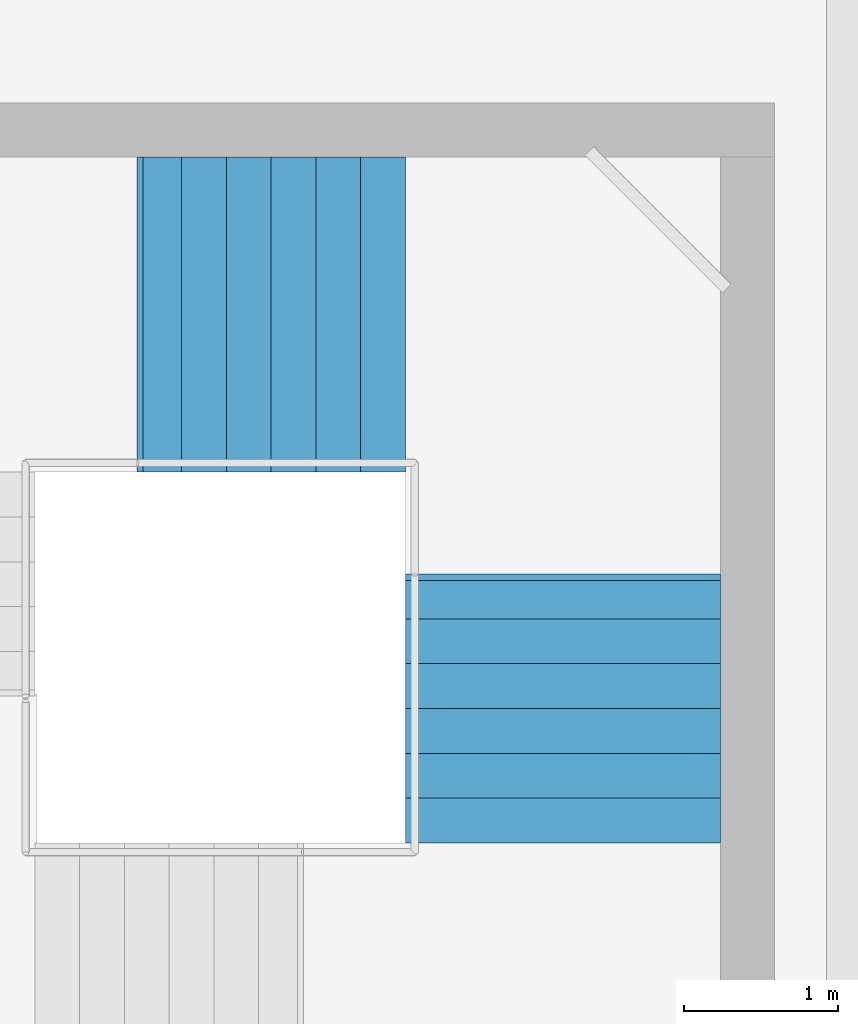
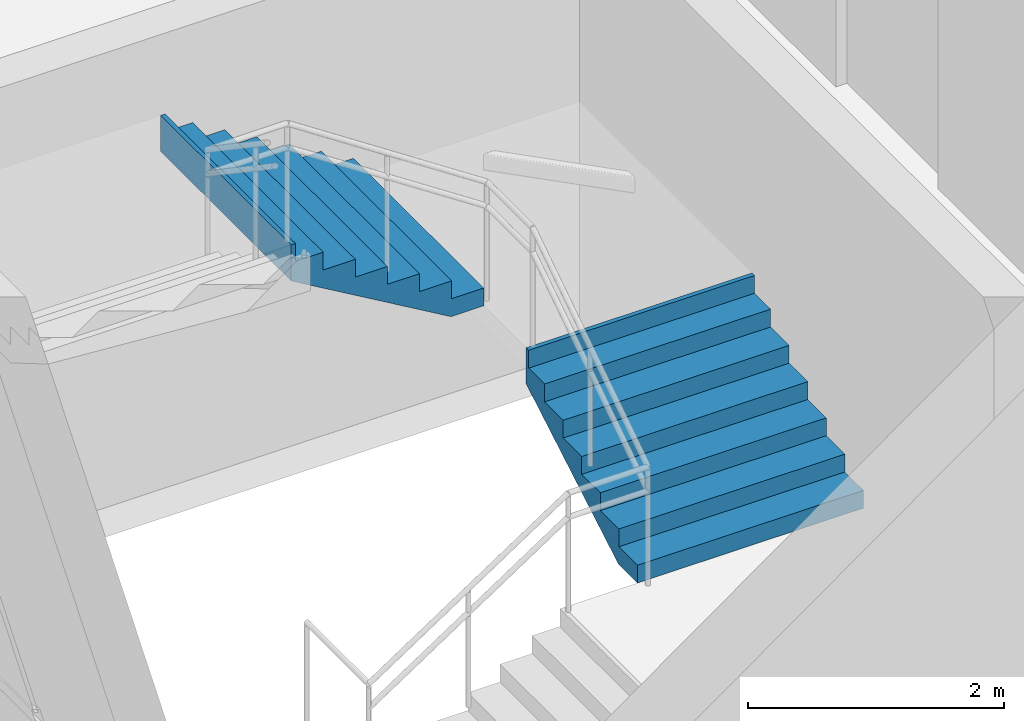
# One storey, part 64 of 69: 2 stair flights, 1 element without a shape of its own.
"""IFC4 building model written with IfcOpenShell, lengths in metres."""

from ifc_helpers import new_model, si_unit, direction, frame, origin, place, context, subcontext, project, spatial, triangles, material, type_object, element, aggregate, save


model = new_model("IFC4")

# Units and contexts
model_context = context("Model", 3, precision=1e-05, world=origin(), true_north=direction((0.0, 1.0)))
body_context = subcontext(model_context, "Body", "Model", "MODEL_VIEW")
ifc_project = project(units=[si_unit("LENGTHUNIT", "METRE"), si_unit("AREAUNIT", "SQUARE_METRE"), si_unit("VOLUMEUNIT", "CUBIC_METRE"), si_unit("PLANEANGLEUNIT", "RADIAN"), si_unit("MASSUNIT", "GRAM", prefix="KILO")], contexts=[model_context])

# Site, building, storey
site_placement = place(None, origin())
site = spatial("IfcSite", under=ifc_project, at=site_placement, CompositionType="ELEMENT")
building_placement = place(site_placement, origin())
building = spatial("IfcBuilding", under=site, at=building_placement, Name="Sillaruma Civic Art Gallery", CompositionType="ELEMENT")
storey_placement = place(building_placement, frame((0.0, 0.0, 42.330078125)))
storey = spatial("IfcBuildingStorey", under=building, at=storey_placement, Name="L08", CompositionType="ELEMENT", Elevation=42.330078125)

# Stair, stair flights
ifc_material = material(Name="Concrete H35 (35 MPa)", Category="concrete")
stair_type = type_object("IfcStairType", Name="STR-4F-27", PredefinedType="USERDEFINED", material=ifc_material)
stair_placement = place(storey_placement, origin())
stair = element("IfcStair", 1, at=stair_placement, inside=storey, type_object=stair_type, Name="Protected Exit Stair ST-04 (East Bar) (L08)", ObjectType="THREE_RETURN_STAIR", PredefinedType="USERDEFINED")
stair_flight_type = type_object("IfcStairFlightType", Name="SFL-STR-7", PredefinedType="STRAIGHT", material=ifc_material)
stair_flight_1_placement = place(storey_placement, frame((104.320068359375, 53.25, 1.18994140625), z_axis=(0.0, 0.0, 1.0), x_axis=(0.0, 1.0, 0.0)))
stair_flight_1 = element("IfcStairFlight", 2, at=stair_flight_1_placement, type_object=stair_flight_type, Name="ST-04 flight 2", NumberOfRisers=7, NumberOfTreads=6, PredefinedType="STRAIGHT", RiserHeight=0.17, TreadLength=0.29, context=body_context, shape_type="Tessellation", body=[
    triangles([(0.0, -1.02001953125, 0.0), (0.29, -1.02001953125, 0.0), (0.296404, -1.02001953125, 0.0), (0.58, -1.02001953125, 0.166246), (0.87, -1.02001953125, 0.336246), (1.16, -1.02001953125, 0.506246), (1.45, -1.02001953125, 0.676246), (1.69999, -1.02001953125, 0.822792), (1.73999, -1.02001953125, 0.84624), (1.73999, -1.02001953125, 1.19), (1.69999, -1.02001953125, 1.19), (1.69999, -1.02001953125, 1.02), (1.45, -1.02001953125, 1.02), (1.45, -1.02001953125, 0.85), (1.16, -1.02001953125, 0.85), (1.16, -1.02001953125, 0.68), (0.87, -1.02001953125, 0.68), (0.87, -1.02001953125, 0.51), (0.58, -1.02001953125, 0.51), (0.58, -1.02001953125, 0.34), (0.296404, -1.02001953125, 0.34), (0.29, -1.02001953125, 0.34), (0.29, -1.02001953125, 0.17), (0.0, -1.02001953125, 0.17), (0.0, -0.05, 0.0), (0.29, -0.05, 0.0), (0.296404, -0.05, 0.0), (0.58, -0.05, 0.166246), (0.87, -0.05, 0.336246), (1.16, -0.05, 0.506246), (1.45, -0.05, 0.676246), (1.69999, -0.05, 0.822792), (1.73999, -0.05, 0.84624), (1.73999, -0.05, 1.19), (1.69999, -0.05, 1.19), (1.69999, -0.05, 1.02), (1.45, -0.05, 1.02), (1.45, -0.05, 0.85), (1.16, -0.05, 0.85), (1.16, -0.05, 0.68), (0.87, -0.05, 0.68), (0.87, -0.05, 0.51), (0.58, -0.05, 0.51), (0.58, -0.05, 0.34), (0.296404, -0.05, 0.34), (0.29, -0.05, 0.34), (0.29, -0.05, 0.17), (0.0, -0.05, 0.17), (0.0, -0.0375, 0.0), (0.29, -0.0375, 0.0), (0.296404, -0.0375, 0.0), (0.58, -0.0375, 0.166246), (0.87, -0.0375, 0.336246), (1.16, -0.0375, 0.506246), (1.45, -0.0375, 0.676246), (1.69999, -0.0375, 0.822792), (1.73999, -0.0375, 0.84624), (1.73999, -0.0375, 1.19), (1.69999, -0.0375, 1.19), (1.69999, -0.0375, 1.02), (1.45, -0.0375, 1.02), (1.45, -0.0375, 0.85), (1.16, -0.0375, 0.85), (1.16, -0.0375, 0.68), (0.87, -0.0375, 0.68), (0.87, -0.0375, 0.51), (0.58, -0.0375, 0.51), (0.58, -0.0375, 0.34), (0.296404, -0.0375, 0.34), (0.29, -0.0375, 0.34), (0.29, -0.0375, 0.17), (0.0, -0.0375, 0.17), (0.0, -0.025, 0.0), (0.29, -0.025, 0.0), (0.296404, -0.025, 0.0), (0.58, -0.025, 0.166246), (0.87, -0.025, 0.336246), (1.16, -0.025, 0.506246), (1.45, -0.025, 0.676246), (1.69999, -0.025, 0.822792), (1.73999, -0.025, 0.84624), (1.73999, -0.025, 1.19), (1.69999, -0.025, 1.19), (1.69999, -0.025, 1.02), (1.45, -0.025, 1.02), (1.45, -0.025, 0.85), (1.16, -0.025, 0.85), (1.16, -0.025, 0.68), (0.87, -0.025, 0.68), (0.87, -0.025, 0.51), (0.58, -0.025, 0.51), (0.58, -0.025, 0.34), (0.296404, -0.025, 0.34), (0.29, -0.025, 0.34), (0.29, -0.025, 0.17), (0.0, -0.025, 0.17), (0.0, -0.0125, 0.0), (0.29, -0.0125, 0.0), (0.296404, -0.0125, 0.0), (0.58, -0.0125, 0.166246), (0.87, -0.0125, 0.336246), (1.16, -0.0125, 0.506246), (1.45, -0.0125, 0.676246), (1.69999, -0.0125, 0.822792), (1.73999, -0.0125, 0.84624), (1.73999, -0.0125, 1.19), (1.69999, -0.0125, 1.19), (1.69999, -0.0125, 1.02), (1.45, -0.0125, 1.02), (1.45, -0.0125, 0.85), (1.16, -0.0125, 0.85), (1.16, -0.0125, 0.68), (0.87, -0.0125, 0.68), (0.87, -0.0125, 0.51), (0.58, -0.0125, 0.51), (0.58, -0.0125, 0.34), (0.296404, -0.0125, 0.34), (0.29, -0.0125, 0.34), (0.29, -0.0125, 0.17), (0.0, -0.0125, 0.17), (0.0, 0.0, 0.0), (0.29, 0.0, 0.0), (0.296404, 0.0, 0.0), (0.58, 0.0, 0.166246), (0.87, 0.0, 0.336246), (1.16, 0.0, 0.506246), (1.45, 0.0, 0.676246), (1.69999, 0.0, 0.822792), (1.73999, 0.0, 0.84624), (1.73999, 0.0, 1.19), (1.69999, 0.0, 1.19), (1.69999, 0.0, 1.02), (1.45, 0.0, 1.02), (1.45, 0.0, 0.85), (1.16, 0.0, 0.85), (1.16, 0.0, 0.68), (0.87, 0.0, 0.68), (0.87, 0.0, 0.51), (0.58, 0.0, 0.51), (0.58, 0.0, 0.34), (0.296404, 0.0, 0.34), (0.29, 0.0, 0.34), (0.29, 0.0, 0.17), (0.0, 0.0, 0.17), (0.0, 0.0125, 0.0), (0.29, 0.0125, 0.0), (0.296404, 0.0125, 0.0), (0.58, 0.0125, 0.166246), (0.87, 0.0125, 0.336246), (1.16, 0.0125, 0.506246), (1.45, 0.0125, 0.676246), (1.69999, 0.0125, 0.822792), (1.73999, 0.0125, 0.84624), (1.73999, 0.0125, 1.19), (1.69999, 0.0125, 1.19), (1.69999, 0.0125, 1.02), (1.45, 0.0125, 1.02), (1.45, 0.0125, 0.85), (1.16, 0.0125, 0.85), (1.16, 0.0125, 0.68), (0.87, 0.0125, 0.68), (0.87, 0.0125, 0.51), (0.58, 0.0125, 0.51), (0.58, 0.0125, 0.34), (0.296404, 0.0125, 0.34), (0.29, 0.0125, 0.34), (0.29, 0.0125, 0.17), (0.0, 0.0125, 0.17), (0.0, 0.025, 0.0), (0.29, 0.025, 0.0), (0.296404, 0.025, 0.0), (0.58, 0.025, 0.166246), (0.87, 0.025, 0.336246), (1.16, 0.025, 0.506246), (1.45, 0.025, 0.676246), (1.69999, 0.025, 0.822792), (1.73999, 0.025, 0.84624), (1.73999, 0.025, 1.19), (1.69999, 0.025, 1.19), (1.69999, 0.025, 1.02), (1.45, 0.025, 1.02), (1.45, 0.025, 0.85), (1.16, 0.025, 0.85), (1.16, 0.025, 0.68), (0.87, 0.025, 0.68), (0.87, 0.025, 0.51), (0.58, 0.025, 0.51), (0.58, 0.025, 0.34), (0.296404, 0.025, 0.34), (0.29, 0.025, 0.34), (0.29, 0.025, 0.17), (0.0, 0.025, 0.17), (0.0, 0.0375, 0.0), (0.29, 0.0375, 0.0), (0.296404, 0.0375, 0.0), (0.58, 0.0375, 0.166246), (0.87, 0.0375, 0.336246), (1.16, 0.0375, 0.506246), (1.45, 0.0375, 0.676246), (1.69999, 0.0375, 0.822792), (1.73999, 0.0375, 0.84624), (1.73999, 0.0375, 1.19), (1.69999, 0.0375, 1.19), (1.69999, 0.0375, 1.02), (1.45, 0.0375, 1.02), (1.45, 0.0375, 0.85), (1.16, 0.0375, 0.85), (1.16, 0.0375, 0.68), (0.87, 0.0375, 0.68), (0.87, 0.0375, 0.51), (0.58, 0.0375, 0.51), (0.58, 0.0375, 0.34), (0.296404, 0.0375, 0.34), (0.29, 0.0375, 0.34), (0.29, 0.0375, 0.17), (0.0, 0.0375, 0.17), (0.0, 0.05, 0.0), (0.29, 0.05, 0.0), (0.296404, 0.05, 0.0), (0.58, 0.05, 0.166246), (0.87, 0.05, 0.336246), (1.16, 0.05, 0.506246), (1.45, 0.05, 0.676246), (1.69999, 0.05, 0.822792), (1.73999, 0.05, 0.84624), (1.73999, 0.05, 1.19), (1.69999, 0.05, 1.19), (1.69999, 0.05, 1.02), (1.45, 0.05, 1.02), (1.45, 0.05, 0.85), (1.16, 0.05, 0.85), (1.16, 0.05, 0.68), (0.87, 0.05, 0.68), (0.87, 0.05, 0.51), (0.58, 0.05, 0.51), (0.58, 0.05, 0.34), (0.296404, 0.05, 0.34), (0.29, 0.05, 0.34), (0.29, 0.05, 0.17), (0.0, 0.05, 0.17), (0.0, 1.02001953125, 0.0), (0.29, 1.02001953125, 0.0), (0.296404, 1.02001953125, 0.0), (0.58, 1.02001953125, 0.166246), (0.87, 1.02001953125, 0.336246), (1.16, 1.02001953125, 0.506246), (1.45, 1.02001953125, 0.676246), (1.69999, 1.02001953125, 0.822792), (1.73999, 1.02001953125, 0.84624), (1.73999, 1.02001953125, 1.19), (1.69999, 1.02001953125, 1.19), (1.69999, 1.02001953125, 1.02), (1.45, 1.02001953125, 1.02), (1.45, 1.02001953125, 0.85), (1.16, 1.02001953125, 0.85), (1.16, 1.02001953125, 0.68), (0.87, 1.02001953125, 0.68), (0.87, 1.02001953125, 0.51), (0.58, 1.02001953125, 0.51), (0.58, 1.02001953125, 0.34), (0.296404, 1.02001953125, 0.34), (0.29, 1.02001953125, 0.34), (0.29, 1.02001953125, 0.17), (0.0, 1.02001953125, 0.17)], [[1, 2, 23], [1, 23, 24], [2, 3, 21], [2, 21, 23], [23, 21, 22], [3, 4, 20], [3, 20, 21], [4, 5, 18], [4, 18, 20], [20, 18, 19], [5, 6, 16], [5, 16, 18], [18, 16, 17], [6, 7, 14], [6, 14, 16], [16, 14, 15], [7, 8, 12], [7, 12, 14], [14, 12, 13], [8, 9, 10], [8, 10, 12], [12, 10, 11], [263, 242, 241], [264, 263, 241], [261, 243, 242], [263, 261, 242], [262, 261, 263], [260, 244, 243], [261, 260, 243], [258, 245, 244], [260, 258, 244], [259, 258, 260], [256, 246, 245], [258, 256, 245], [257, 256, 258], [254, 247, 246], [256, 254, 246], [255, 254, 256], [252, 248, 247], [254, 252, 247], [253, 252, 254], [250, 249, 248], [252, 250, 248], [251, 250, 252], [2, 1, 25], [2, 25, 26], [3, 2, 26], [3, 26, 27], [4, 3, 27], [4, 27, 28], [5, 4, 28], [5, 28, 29], [6, 5, 29], [6, 29, 30], [7, 6, 30], [7, 30, 31], [8, 7, 31], [8, 31, 32], [9, 8, 32], [9, 32, 33], [10, 9, 33], [10, 33, 34], [11, 10, 34], [11, 34, 35], [12, 11, 35], [12, 35, 36], [13, 12, 36], [13, 36, 37], [14, 13, 37], [14, 37, 38], [15, 14, 38], [15, 38, 39], [16, 15, 39], [16, 39, 40], [17, 16, 40], [17, 40, 41], [18, 17, 41], [18, 41, 42], [19, 18, 42], [19, 42, 43], [20, 19, 43], [20, 43, 44], [21, 20, 44], [21, 44, 45], [22, 21, 45], [22, 45, 46], [23, 22, 46], [23, 46, 47], [24, 23, 47], [24, 47, 48], [1, 24, 48], [1, 48, 25], [26, 25, 49], [26, 49, 50], [27, 26, 50], [27, 50, 51], [28, 27, 51], [28, 51, 52], [29, 28, 52], [29, 52, 53], [30, 29, 53], [30, 53, 54], [31, 30, 54], [31, 54, 55], [32, 31, 55], [32, 55, 56], [33, 32, 56], [33, 56, 57], [34, 33, 57], [34, 57, 58], [35, 34, 58], [35, 58, 59], [36, 35, 59], [36, 59, 60], [37, 36, 60], [37, 60, 61], [38, 37, 61], [38, 61, 62], [39, 38, 62], [39, 62, 63], [40, 39, 63], [40, 63, 64], [41, 40, 64], [41, 64, 65], [42, 41, 65], [42, 65, 66], [43, 42, 66], [43, 66, 67], [44, 43, 67], [44, 67, 68], [45, 44, 68], [45, 68, 69], [46, 45, 69], [46, 69, 70], [47, 46, 70], [47, 70, 71], [48, 47, 71], [48, 71, 72], [25, 48, 72], [25, 72, 49], [50, 49, 73], [50, 73, 74], [51, 50, 74], [51, 74, 75], [52, 51, 75], [52, 75, 76], [53, 52, 76], [53, 76, 77], [54, 53, 77], [54, 77, 78], [55, 54, 78], [55, 78, 79], [56, 55, 79], [56, 79, 80], [57, 56, 80], [57, 80, 81], [58, 57, 81], [58, 81, 82], [59, 58, 82], [59, 82, 83], [60, 59, 83], [60, 83, 84], [61, 60, 84], [61, 84, 85], [62, 61, 85], [62, 85, 86], [63, 62, 86], [63, 86, 87], [64, 63, 87], [64, 87, 88], [65, 64, 88], [65, 88, 89], [66, 65, 89], [66, 89, 90], [67, 66, 90], [67, 90, 91], [68, 67, 91], [68, 91, 92], [69, 68, 92], [69, 92, 93], [70, 69, 93], [70, 93, 94], [71, 70, 94], [71, 94, 95], [72, 71, 95], [72, 95, 96], [49, 72, 96], [49, 96, 73], [74, 73, 97], [74, 97, 98], [75, 74, 98], [75, 98, 99], [76, 75, 99], [76, 99, 100], [77, 76, 100], [77, 100, 101], [78, 77, 101], [78, 101, 102], [79, 78, 102], [79, 102, 103], [80, 79, 103], [80, 103, 104], [81, 80, 104], [81, 104, 105], [82, 81, 105], [82, 105, 106], [83, 82, 106], [83, 106, 107], [84, 83, 107], [84, 107, 108], [85, 84, 108], [85, 108, 109], [86, 85, 109], [86, 109, 110], [87, 86, 110], [87, 110, 111], [88, 87, 111], [88, 111, 112], [89, 88, 112], [89, 112, 113], [90, 89, 113], [90, 113, 114], [91, 90, 114], [91, 114, 115], [92, 91, 115], [92, 115, 116], [93, 92, 116], [93, 116, 117], [94, 93, 117], [94, 117, 118], [95, 94, 118], [95, 118, 119], [96, 95, 119], [96, 119, 120], [73, 96, 120], [73, 120, 97], [98, 97, 121], [98, 121, 122], [99, 98, 122], [99, 122, 123], [100, 99, 123], [100, 123, 124], [101, 100, 124], [101, 124, 125], [102, 101, 125], [102, 125, 126], [103, 102, 126], [103, 126, 127], [104, 103, 127], [104, 127, 128], [105, 104, 128], [105, 128, 129], [106, 105, 129], [106, 129, 130], [107, 106, 130], [107, 130, 131], [108, 107, 131], [108, 131, 132], [109, 108, 132], [109, 132, 133], [110, 109, 133], [110, 133, 134], [111, 110, 134], [111, 134, 135], [112, 111, 135], [112, 135, 136], [113, 112, 136], [113, 136, 137], [114, 113, 137], [114, 137, 138], [115, 114, 138], [115, 138, 139], [116, 115, 139], [116, 139, 140], [117, 116, 140], [117, 140, 141], [118, 117, 141], [118, 141, 142], [119, 118, 142], [119, 142, 143], [120, 119, 143], [120, 143, 144], [97, 120, 144], [97, 144, 121], [122, 121, 145], [122, 145, 146], [123, 122, 146], [123, 146, 147], [124, 123, 147], [124, 147, 148], [125, 124, 148], [125, 148, 149], [126, 125, 149], [126, 149, 150], [127, 126, 150], [127, 150, 151], [128, 127, 151], [128, 151, 152], [129, 128, 152], [129, 152, 153], [130, 129, 153], [130, 153, 154], [131, 130, 154], [131, 154, 155], [132, 131, 155], [132, 155, 156], [133, 132, 156], [133, 156, 157], [134, 133, 157], [134, 157, 158], [135, 134, 158], [135, 158, 159], [136, 135, 159], [136, 159, 160], [137, 136, 160], [137, 160, 161], [138, 137, 161], [138, 161, 162], [139, 138, 162], [139, 162, 163], [140, 139, 163], [140, 163, 164], [141, 140, 164], [141, 164, 165], [142, 141, 165], [142, 165, 166], [143, 142, 166], [143, 166, 167], [144, 143, 167], [144, 167, 168], [121, 144, 168], [121, 168, 145], [146, 145, 169], [146, 169, 170], [147, 146, 170], [147, 170, 171], [148, 147, 171], [148, 171, 172], [149, 148, 172], [149, 172, 173], [150, 149, 173], [150, 173, 174], [151, 150, 174], [151, 174, 175], [152, 151, 175], [152, 175, 176], [153, 152, 176], [153, 176, 177], [154, 153, 177], [154, 177, 178], [155, 154, 178], [155, 178, 179], [156, 155, 179], [156, 179, 180], [157, 156, 180], [157, 180, 181], [158, 157, 181], [158, 181, 182], [159, 158, 182], [159, 182, 183], [160, 159, 183], [160, 183, 184], [161, 160, 184], [161, 184, 185], [162, 161, 185], [162, 185, 186], [163, 162, 186], [163, 186, 187], [164, 163, 187], [164, 187, 188], [165, 164, 188], [165, 188, 189], [166, 165, 189], [166, 189, 190], [167, 166, 190], [167, 190, 191], [168, 167, 191], [168, 191, 192], [145, 168, 192], [145, 192, 169], [170, 169, 193], [170, 193, 194], [171, 170, 194], [171, 194, 195], [172, 171, 195], [172, 195, 196], [173, 172, 196], [173, 196, 197], [174, 173, 197], [174, 197, 198], [175, 174, 198], [175, 198, 199], [176, 175, 199], [176, 199, 200], [177, 176, 200], [177, 200, 201], [178, 177, 201], [178, 201, 202], [179, 178, 202], [179, 202, 203], [180, 179, 203], [180, 203, 204], [181, 180, 204], [181, 204, 205], [182, 181, 205], [182, 205, 206], [183, 182, 206], [183, 206, 207], [184, 183, 207], [184, 207, 208], [185, 184, 208], [185, 208, 209], [186, 185, 209], [186, 209, 210], [187, 186, 210], [187, 210, 211], [188, 187, 211], [188, 211, 212], [189, 188, 212], [189, 212, 213], [190, 189, 213], [190, 213, 214], [191, 190, 214], [191, 214, 215], [192, 191, 215], [192, 215, 216], [169, 192, 216], [169, 216, 193], [194, 193, 217], [194, 217, 218], [195, 194, 218], [195, 218, 219], [196, 195, 219], [196, 219, 220], [197, 196, 220], [197, 220, 221], [198, 197, 221], [198, 221, 222], [199, 198, 222], [199, 222, 223], [200, 199, 223], [200, 223, 224], [201, 200, 224], [201, 224, 225], [202, 201, 225], [202, 225, 226], [203, 202, 226], [203, 226, 227], [204, 203, 227], [204, 227, 228], [205, 204, 228], [205, 228, 229], [206, 205, 229], [206, 229, 230], [207, 206, 230], [207, 230, 231], [208, 207, 231], [208, 231, 232], [209, 208, 232], [209, 232, 233], [210, 209, 233], [210, 233, 234], [211, 210, 234], [211, 234, 235], [212, 211, 235], [212, 235, 236], [213, 212, 236], [213, 236, 237], [214, 213, 237], [214, 237, 238], [215, 214, 238], [215, 238, 239], [216, 215, 239], [216, 239, 240], [193, 216, 240], [193, 240, 217], [218, 217, 241], [218, 241, 242], [219, 218, 242], [219, 242, 243], [220, 219, 243], [220, 243, 244], [221, 220, 244], [221, 244, 245], [222, 221, 245], [222, 245, 246], [223, 222, 246], [223, 246, 247], [224, 223, 247], [224, 247, 248], [225, 224, 248], [225, 248, 249], [226, 225, 249], [226, 249, 250], [227, 226, 250], [227, 250, 251], [228, 227, 251], [228, 251, 252], [229, 228, 252], [229, 252, 253], [230, 229, 253], [230, 253, 254], [231, 230, 254], [231, 254, 255], [232, 231, 255], [232, 255, 256], [233, 232, 256], [233, 256, 257], [234, 233, 257], [234, 257, 258], [235, 234, 258], [235, 258, 259], [236, 235, 259], [236, 259, 260], [237, 236, 260], [237, 260, 261], [238, 237, 261], [238, 261, 262], [239, 238, 262], [239, 262, 263], [240, 239, 263], [240, 263, 264], [217, 240, 264], [217, 264, 241]], closed=True),
])
stair_flight_2_placement = place(storey_placement, frame((103.300048828125, 56.669921875, 2.3798828125), z_axis=(0.0, 0.0, 1.0), x_axis=(-1.0, 0.0, 0.0)))
stair_flight_2 = element("IfcStairFlight", 3, at=stair_flight_2_placement, type_object=stair_flight_type, Name="ST-04 flight 3", NumberOfRisers=7, NumberOfTreads=6, PredefinedType="STRAIGHT", RiserHeight=0.17, TreadLength=0.29, context=body_context, shape_type="Tessellation", body=[
    triangles([(0.0, -1.02001953125, 0.0), (0.29, -1.02001953125, 0.0), (0.296404, -1.02001953125, 0.0), (0.58, -1.02001953125, 0.166246), (0.87, -1.02001953125, 0.336246), (1.16, -1.02001953125, 0.506246), (1.45, -1.02001953125, 0.676246), (1.69999, -1.02001953125, 0.822792), (1.73999, -1.02001953125, 0.84624), (1.73999, -1.02001953125, 1.19), (1.69999, -1.02001953125, 1.19), (1.69999, -1.02001953125, 1.02), (1.45, -1.02001953125, 1.02), (1.45, -1.02001953125, 0.85), (1.16, -1.02001953125, 0.85), (1.16, -1.02001953125, 0.68), (0.87, -1.02001953125, 0.68), (0.87, -1.02001953125, 0.51), (0.58, -1.02001953125, 0.51), (0.58, -1.02001953125, 0.34), (0.296404, -1.02001953125, 0.34), (0.29, -1.02001953125, 0.34), (0.29, -1.02001953125, 0.17), (0.0, -1.02001953125, 0.17), (0.0, -0.05, 0.0), (0.29, -0.05, 0.0), (0.296404, -0.05, 0.0), (0.58, -0.05, 0.166246), (0.87, -0.05, 0.336246), (1.16, -0.05, 0.506246), (1.45, -0.05, 0.676246), (1.69999, -0.05, 0.822792), (1.73999, -0.05, 0.84624), (1.73999, -0.05, 1.19), (1.69999, -0.05, 1.19), (1.69999, -0.05, 1.02), (1.45, -0.05, 1.02), (1.45, -0.05, 0.85), (1.16, -0.05, 0.85), (1.16, -0.05, 0.68), (0.87, -0.05, 0.68), (0.87, -0.05, 0.51), (0.58, -0.05, 0.51), (0.58, -0.05, 0.34), (0.296404, -0.05, 0.34), (0.29, -0.05, 0.34), (0.29, -0.05, 0.17), (0.0, -0.05, 0.17), (0.0, -0.0375, 0.0), (0.29, -0.0375, 0.0), (0.296404, -0.0375, 0.0), (0.58, -0.0375, 0.166246), (0.87, -0.0375, 0.336246), (1.16, -0.0375, 0.506246), (1.45, -0.0375, 0.676246), (1.69999, -0.0375, 0.822792), (1.73999, -0.0375, 0.84624), (1.73999, -0.0375, 1.19), (1.69999, -0.0375, 1.19), (1.69999, -0.0375, 1.02), (1.45, -0.0375, 1.02), (1.45, -0.0375, 0.85), (1.16, -0.0375, 0.85), (1.16, -0.0375, 0.68), (0.87, -0.0375, 0.68), (0.87, -0.0375, 0.51), (0.58, -0.0375, 0.51), (0.58, -0.0375, 0.34), (0.296404, -0.0375, 0.34), (0.29, -0.0375, 0.34), (0.29, -0.0375, 0.17), (0.0, -0.0375, 0.17), (0.0, -0.025, 0.0), (0.29, -0.025, 0.0), (0.296404, -0.025, 0.0), (0.58, -0.025, 0.166246), (0.87, -0.025, 0.336246), (1.16, -0.025, 0.506246), (1.45, -0.025, 0.676246), (1.69999, -0.025, 0.822792), (1.73999, -0.025, 0.84624), (1.73999, -0.025, 1.19), (1.69999, -0.025, 1.19), (1.69999, -0.025, 1.02), (1.45, -0.025, 1.02), (1.45, -0.025, 0.85), (1.16, -0.025, 0.85), (1.16, -0.025, 0.68), (0.87, -0.025, 0.68), (0.87, -0.025, 0.51), (0.58, -0.025, 0.51), (0.58, -0.025, 0.34), (0.296404, -0.025, 0.34), (0.29, -0.025, 0.34), (0.29, -0.025, 0.17), (0.0, -0.025, 0.17), (0.0, -0.0125, 0.0), (0.29, -0.0125, 0.0), (0.296404, -0.0125, 0.0), (0.58, -0.0125, 0.166246), (0.87, -0.0125, 0.336246), (1.16, -0.0125, 0.506246), (1.45, -0.0125, 0.676246), (1.69999, -0.0125, 0.822792), (1.73999, -0.0125, 0.84624), (1.73999, -0.0125, 1.19), (1.69999, -0.0125, 1.19), (1.69999, -0.0125, 1.02), (1.45, -0.0125, 1.02), (1.45, -0.0125, 0.85), (1.16, -0.0125, 0.85), (1.16, -0.0125, 0.68), (0.87, -0.0125, 0.68), (0.87, -0.0125, 0.51), (0.58, -0.0125, 0.51), (0.58, -0.0125, 0.34), (0.296404, -0.0125, 0.34), (0.29, -0.0125, 0.34), (0.29, -0.0125, 0.17), (0.0, -0.0125, 0.17), (0.0, 0.0, 0.0), (0.29, 0.0, 0.0), (0.296404, 0.0, 0.0), (0.58, 0.0, 0.166246), (0.87, 0.0, 0.336246), (1.16, 0.0, 0.506246), (1.45, 0.0, 0.676246), (1.69999, 0.0, 0.822792), (1.73999, 0.0, 0.84624), (1.73999, 0.0, 1.19), (1.69999, 0.0, 1.19), (1.69999, 0.0, 1.02), (1.45, 0.0, 1.02), (1.45, 0.0, 0.85), (1.16, 0.0, 0.85), (1.16, 0.0, 0.68), (0.87, 0.0, 0.68), (0.87, 0.0, 0.51), (0.58, 0.0, 0.51), (0.58, 0.0, 0.34), (0.296404, 0.0, 0.34), (0.29, 0.0, 0.34), (0.29, 0.0, 0.17), (0.0, 0.0, 0.17), (0.0, 0.0125, 0.0), (0.29, 0.0125, 0.0), (0.296404, 0.0125, 0.0), (0.58, 0.0125, 0.166246), (0.87, 0.0125, 0.336246), (1.16, 0.0125, 0.506246), (1.45, 0.0125, 0.676246), (1.69999, 0.0125, 0.822792), (1.73999, 0.0125, 0.84624), (1.73999, 0.0125, 1.19), (1.69999, 0.0125, 1.19), (1.69999, 0.0125, 1.02), (1.45, 0.0125, 1.02), (1.45, 0.0125, 0.85), (1.16, 0.0125, 0.85), (1.16, 0.0125, 0.68), (0.87, 0.0125, 0.68), (0.87, 0.0125, 0.51), (0.58, 0.0125, 0.51), (0.58, 0.0125, 0.34), (0.296404, 0.0125, 0.34), (0.29, 0.0125, 0.34), (0.29, 0.0125, 0.17), (0.0, 0.0125, 0.17), (0.0, 0.025, 0.0), (0.29, 0.025, 0.0), (0.296404, 0.025, 0.0), (0.58, 0.025, 0.166246), (0.87, 0.025, 0.336246), (1.16, 0.025, 0.506246), (1.45, 0.025, 0.676246), (1.69999, 0.025, 0.822792), (1.73999, 0.025, 0.84624), (1.73999, 0.025, 1.19), (1.69999, 0.025, 1.19), (1.69999, 0.025, 1.02), (1.45, 0.025, 1.02), (1.45, 0.025, 0.85), (1.16, 0.025, 0.85), (1.16, 0.025, 0.68), (0.87, 0.025, 0.68), (0.87, 0.025, 0.51), (0.58, 0.025, 0.51), (0.58, 0.025, 0.34), (0.296404, 0.025, 0.34), (0.29, 0.025, 0.34), (0.29, 0.025, 0.17), (0.0, 0.025, 0.17), (0.0, 0.0375, 0.0), (0.29, 0.0375, 0.0), (0.296404, 0.0375, 0.0), (0.58, 0.0375, 0.166246), (0.87, 0.0375, 0.336246), (1.16, 0.0375, 0.506246), (1.45, 0.0375, 0.676246), (1.69999, 0.0375, 0.822792), (1.73999, 0.0375, 0.84624), (1.73999, 0.0375, 1.19), (1.69999, 0.0375, 1.19), (1.69999, 0.0375, 1.02), (1.45, 0.0375, 1.02), (1.45, 0.0375, 0.85), (1.16, 0.0375, 0.85), (1.16, 0.0375, 0.68), (0.87, 0.0375, 0.68), (0.87, 0.0375, 0.51), (0.58, 0.0375, 0.51), (0.58, 0.0375, 0.34), (0.296404, 0.0375, 0.34), (0.29, 0.0375, 0.34), (0.29, 0.0375, 0.17), (0.0, 0.0375, 0.17), (0.0, 0.05, 0.0), (0.29, 0.05, 0.0), (0.296404, 0.05, 0.0), (0.58, 0.05, 0.166246), (0.87, 0.05, 0.336246), (1.16, 0.05, 0.506246), (1.45, 0.05, 0.676246), (1.69999, 0.05, 0.822792), (1.73999, 0.05, 0.84624), (1.73999, 0.05, 1.19), (1.69999, 0.05, 1.19), (1.69999, 0.05, 1.02), (1.45, 0.05, 1.02), (1.45, 0.05, 0.85), (1.16, 0.05, 0.85), (1.16, 0.05, 0.68), (0.87, 0.05, 0.68), (0.87, 0.05, 0.51), (0.58, 0.05, 0.51), (0.58, 0.05, 0.34), (0.296404, 0.05, 0.34), (0.29, 0.05, 0.34), (0.29, 0.05, 0.17), (0.0, 0.05, 0.17), (0.0, 1.02001953125, 0.0), (0.29, 1.02001953125, 0.0), (0.296404, 1.02001953125, 0.0), (0.58, 1.02001953125, 0.166246), (0.87, 1.02001953125, 0.336246), (1.16, 1.02001953125, 0.506246), (1.45, 1.02001953125, 0.676246), (1.69999, 1.02001953125, 0.822792), (1.73999, 1.02001953125, 0.84624), (1.73999, 1.02001953125, 1.19), (1.69999, 1.02001953125, 1.19), (1.69999, 1.02001953125, 1.02), (1.45, 1.02001953125, 1.02), (1.45, 1.02001953125, 0.85), (1.16, 1.02001953125, 0.85), (1.16, 1.02001953125, 0.68), (0.87, 1.02001953125, 0.68), (0.87, 1.02001953125, 0.51), (0.58, 1.02001953125, 0.51), (0.58, 1.02001953125, 0.34), (0.296404, 1.02001953125, 0.34), (0.29, 1.02001953125, 0.34), (0.29, 1.02001953125, 0.17), (0.0, 1.02001953125, 0.17)], [[1, 2, 23], [1, 23, 24], [2, 3, 21], [2, 21, 23], [23, 21, 22], [3, 4, 20], [3, 20, 21], [4, 5, 18], [4, 18, 20], [20, 18, 19], [5, 6, 16], [5, 16, 18], [18, 16, 17], [6, 7, 14], [6, 14, 16], [16, 14, 15], [7, 8, 12], [7, 12, 14], [14, 12, 13], [8, 9, 10], [8, 10, 12], [12, 10, 11], [263, 242, 241], [264, 263, 241], [261, 243, 242], [263, 261, 242], [262, 261, 263], [260, 244, 243], [261, 260, 243], [258, 245, 244], [260, 258, 244], [259, 258, 260], [256, 246, 245], [258, 256, 245], [257, 256, 258], [254, 247, 246], [256, 254, 246], [255, 254, 256], [252, 248, 247], [254, 252, 247], [253, 252, 254], [250, 249, 248], [252, 250, 248], [251, 250, 252], [2, 1, 25], [2, 25, 26], [3, 2, 26], [3, 26, 27], [4, 3, 27], [4, 27, 28], [5, 4, 28], [5, 28, 29], [6, 5, 29], [6, 29, 30], [7, 6, 30], [7, 30, 31], [8, 7, 31], [8, 31, 32], [9, 8, 32], [9, 32, 33], [10, 9, 33], [10, 33, 34], [11, 10, 34], [11, 34, 35], [12, 11, 35], [12, 35, 36], [13, 12, 36], [13, 36, 37], [14, 13, 37], [14, 37, 38], [15, 14, 38], [15, 38, 39], [16, 15, 39], [16, 39, 40], [17, 16, 40], [17, 40, 41], [18, 17, 41], [18, 41, 42], [19, 18, 42], [19, 42, 43], [20, 19, 43], [20, 43, 44], [21, 20, 44], [21, 44, 45], [22, 21, 45], [22, 45, 46], [23, 22, 46], [23, 46, 47], [24, 23, 47], [24, 47, 48], [1, 24, 48], [1, 48, 25], [26, 25, 49], [26, 49, 50], [27, 26, 50], [27, 50, 51], [28, 27, 51], [28, 51, 52], [29, 28, 52], [29, 52, 53], [30, 29, 53], [30, 53, 54], [31, 30, 54], [31, 54, 55], [32, 31, 55], [32, 55, 56], [33, 32, 56], [33, 56, 57], [34, 33, 57], [34, 57, 58], [35, 34, 58], [35, 58, 59], [36, 35, 59], [36, 59, 60], [37, 36, 60], [37, 60, 61], [38, 37, 61], [38, 61, 62], [39, 38, 62], [39, 62, 63], [40, 39, 63], [40, 63, 64], [41, 40, 64], [41, 64, 65], [42, 41, 65], [42, 65, 66], [43, 42, 66], [43, 66, 67], [44, 43, 67], [44, 67, 68], [45, 44, 68], [45, 68, 69], [46, 45, 69], [46, 69, 70], [47, 46, 70], [47, 70, 71], [48, 47, 71], [48, 71, 72], [25, 48, 72], [25, 72, 49], [50, 49, 73], [50, 73, 74], [51, 50, 74], [51, 74, 75], [52, 51, 75], [52, 75, 76], [53, 52, 76], [53, 76, 77], [54, 53, 77], [54, 77, 78], [55, 54, 78], [55, 78, 79], [56, 55, 79], [56, 79, 80], [57, 56, 80], [57, 80, 81], [58, 57, 81], [58, 81, 82], [59, 58, 82], [59, 82, 83], [60, 59, 83], [60, 83, 84], [61, 60, 84], [61, 84, 85], [62, 61, 85], [62, 85, 86], [63, 62, 86], [63, 86, 87], [64, 63, 87], [64, 87, 88], [65, 64, 88], [65, 88, 89], [66, 65, 89], [66, 89, 90], [67, 66, 90], [67, 90, 91], [68, 67, 91], [68, 91, 92], [69, 68, 92], [69, 92, 93], [70, 69, 93], [70, 93, 94], [71, 70, 94], [71, 94, 95], [72, 71, 95], [72, 95, 96], [49, 72, 96], [49, 96, 73], [74, 73, 97], [74, 97, 98], [75, 74, 98], [75, 98, 99], [76, 75, 99], [76, 99, 100], [77, 76, 100], [77, 100, 101], [78, 77, 101], [78, 101, 102], [79, 78, 102], [79, 102, 103], [80, 79, 103], [80, 103, 104], [81, 80, 104], [81, 104, 105], [82, 81, 105], [82, 105, 106], [83, 82, 106], [83, 106, 107], [84, 83, 107], [84, 107, 108], [85, 84, 108], [85, 108, 109], [86, 85, 109], [86, 109, 110], [87, 86, 110], [87, 110, 111], [88, 87, 111], [88, 111, 112], [89, 88, 112], [89, 112, 113], [90, 89, 113], [90, 113, 114], [91, 90, 114], [91, 114, 115], [92, 91, 115], [92, 115, 116], [93, 92, 116], [93, 116, 117], [94, 93, 117], [94, 117, 118], [95, 94, 118], [95, 118, 119], [96, 95, 119], [96, 119, 120], [73, 96, 120], [73, 120, 97], [98, 97, 121], [98, 121, 122], [99, 98, 122], [99, 122, 123], [100, 99, 123], [100, 123, 124], [101, 100, 124], [101, 124, 125], [102, 101, 125], [102, 125, 126], [103, 102, 126], [103, 126, 127], [104, 103, 127], [104, 127, 128], [105, 104, 128], [105, 128, 129], [106, 105, 129], [106, 129, 130], [107, 106, 130], [107, 130, 131], [108, 107, 131], [108, 131, 132], [109, 108, 132], [109, 132, 133], [110, 109, 133], [110, 133, 134], [111, 110, 134], [111, 134, 135], [112, 111, 135], [112, 135, 136], [113, 112, 136], [113, 136, 137], [114, 113, 137], [114, 137, 138], [115, 114, 138], [115, 138, 139], [116, 115, 139], [116, 139, 140], [117, 116, 140], [117, 140, 141], [118, 117, 141], [118, 141, 142], [119, 118, 142], [119, 142, 143], [120, 119, 143], [120, 143, 144], [97, 120, 144], [97, 144, 121], [122, 121, 145], [122, 145, 146], [123, 122, 146], [123, 146, 147], [124, 123, 147], [124, 147, 148], [125, 124, 148], [125, 148, 149], [126, 125, 149], [126, 149, 150], [127, 126, 150], [127, 150, 151], [128, 127, 151], [128, 151, 152], [129, 128, 152], [129, 152, 153], [130, 129, 153], [130, 153, 154], [131, 130, 154], [131, 154, 155], [132, 131, 155], [132, 155, 156], [133, 132, 156], [133, 156, 157], [134, 133, 157], [134, 157, 158], [135, 134, 158], [135, 158, 159], [136, 135, 159], [136, 159, 160], [137, 136, 160], [137, 160, 161], [138, 137, 161], [138, 161, 162], [139, 138, 162], [139, 162, 163], [140, 139, 163], [140, 163, 164], [141, 140, 164], [141, 164, 165], [142, 141, 165], [142, 165, 166], [143, 142, 166], [143, 166, 167], [144, 143, 167], [144, 167, 168], [121, 144, 168], [121, 168, 145], [146, 145, 169], [146, 169, 170], [147, 146, 170], [147, 170, 171], [148, 147, 171], [148, 171, 172], [149, 148, 172], [149, 172, 173], [150, 149, 173], [150, 173, 174], [151, 150, 174], [151, 174, 175], [152, 151, 175], [152, 175, 176], [153, 152, 176], [153, 176, 177], [154, 153, 177], [154, 177, 178], [155, 154, 178], [155, 178, 179], [156, 155, 179], [156, 179, 180], [157, 156, 180], [157, 180, 181], [158, 157, 181], [158, 181, 182], [159, 158, 182], [159, 182, 183], [160, 159, 183], [160, 183, 184], [161, 160, 184], [161, 184, 185], [162, 161, 185], [162, 185, 186], [163, 162, 186], [163, 186, 187], [164, 163, 187], [164, 187, 188], [165, 164, 188], [165, 188, 189], [166, 165, 189], [166, 189, 190], [167, 166, 190], [167, 190, 191], [168, 167, 191], [168, 191, 192], [145, 168, 192], [145, 192, 169], [170, 169, 193], [170, 193, 194], [171, 170, 194], [171, 194, 195], [172, 171, 195], [172, 195, 196], [173, 172, 196], [173, 196, 197], [174, 173, 197], [174, 197, 198], [175, 174, 198], [175, 198, 199], [176, 175, 199], [176, 199, 200], [177, 176, 200], [177, 200, 201], [178, 177, 201], [178, 201, 202], [179, 178, 202], [179, 202, 203], [180, 179, 203], [180, 203, 204], [181, 180, 204], [181, 204, 205], [182, 181, 205], [182, 205, 206], [183, 182, 206], [183, 206, 207], [184, 183, 207], [184, 207, 208], [185, 184, 208], [185, 208, 209], [186, 185, 209], [186, 209, 210], [187, 186, 210], [187, 210, 211], [188, 187, 211], [188, 211, 212], [189, 188, 212], [189, 212, 213], [190, 189, 213], [190, 213, 214], [191, 190, 214], [191, 214, 215], [192, 191, 215], [192, 215, 216], [169, 192, 216], [169, 216, 193], [194, 193, 217], [194, 217, 218], [195, 194, 218], [195, 218, 219], [196, 195, 219], [196, 219, 220], [197, 196, 220], [197, 220, 221], [198, 197, 221], [198, 221, 222], [199, 198, 222], [199, 222, 223], [200, 199, 223], [200, 223, 224], [201, 200, 224], [201, 224, 225], [202, 201, 225], [202, 225, 226], [203, 202, 226], [203, 226, 227], [204, 203, 227], [204, 227, 228], [205, 204, 228], [205, 228, 229], [206, 205, 229], [206, 229, 230], [207, 206, 230], [207, 230, 231], [208, 207, 231], [208, 231, 232], [209, 208, 232], [209, 232, 233], [210, 209, 233], [210, 233, 234], [211, 210, 234], [211, 234, 235], [212, 211, 235], [212, 235, 236], [213, 212, 236], [213, 236, 237], [214, 213, 237], [214, 237, 238], [215, 214, 238], [215, 238, 239], [216, 215, 239], [216, 239, 240], [193, 216, 240], [193, 240, 217], [218, 217, 241], [218, 241, 242], [219, 218, 242], [219, 242, 243], [220, 219, 243], [220, 243, 244], [221, 220, 244], [221, 244, 245], [222, 221, 245], [222, 245, 246], [223, 222, 246], [223, 246, 247], [224, 223, 247], [224, 247, 248], [225, 224, 248], [225, 248, 249], [226, 225, 249], [226, 249, 250], [227, 226, 250], [227, 250, 251], [228, 227, 251], [228, 251, 252], [229, 228, 252], [229, 252, 253], [230, 229, 253], [230, 253, 254], [231, 230, 254], [231, 254, 255], [232, 231, 255], [232, 255, 256], [233, 232, 256], [233, 256, 257], [234, 233, 257], [234, 257, 258], [235, 234, 258], [235, 258, 259], [236, 235, 259], [236, 259, 260], [237, 236, 260], [237, 260, 261], [238, 237, 261], [238, 261, 262], [239, 238, 262], [239, 262, 263], [240, 239, 263], [240, 263, 264], [217, 240, 264], [217, 264, 241]], closed=True),
])
aggregate(stair, [stair_flight_1, stair_flight_2])

save(model, "model.ifc")
